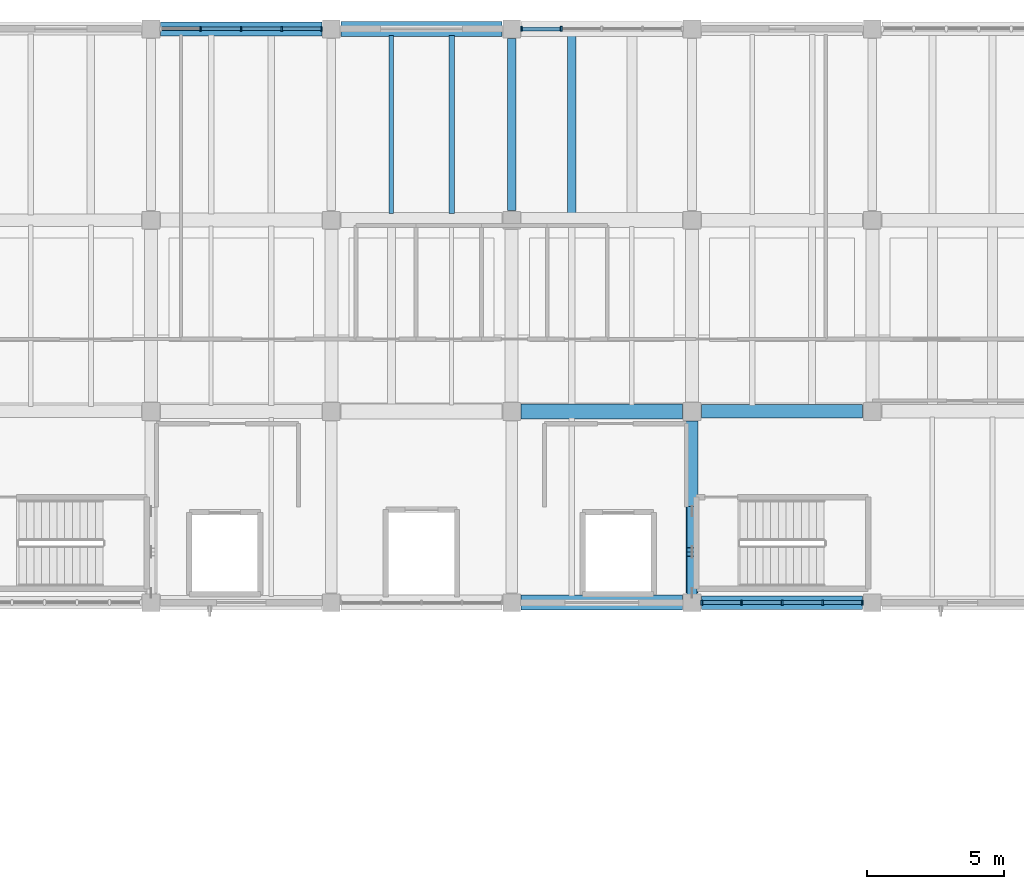
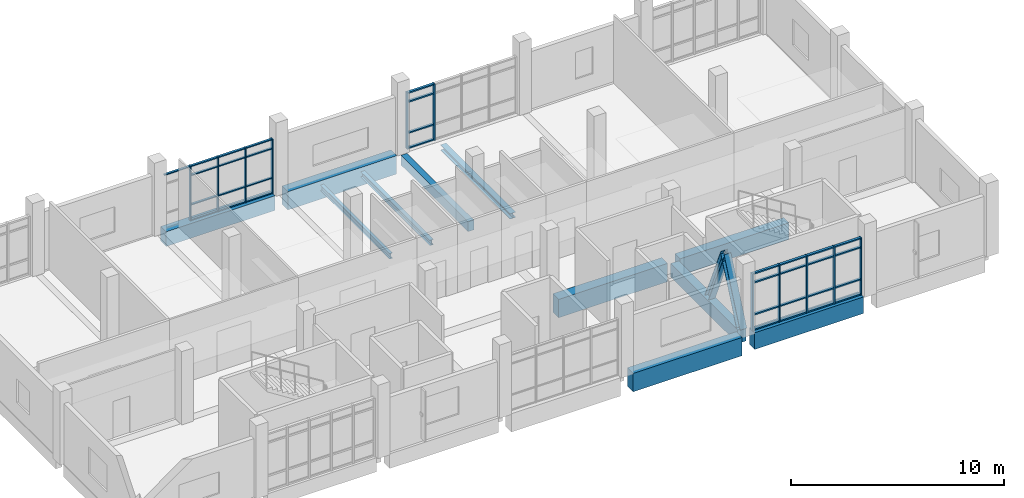
# One storey, part 4 of 16: 46 members, 11 beams, 3 elements without a shape of their own.
"""IFC4 building model written with IfcOpenShell, lengths in metres."""

from ifc_helpers import new_model, si_unit, direction, frame, origin, origin_2d, place, context, subcontext, project, spatial, rectangle, i_section, extrude, material, material_profile, profile_set, type_object, element, aggregate, save


model = new_model("IFC4")

# Units and contexts
model_context = context("Model", 3, precision=1e-05, world=origin(), true_north=direction((0.0, 1.0)))
body_context = subcontext(model_context, "Body", "Model", "MODEL_VIEW")
ifc_project = project(units=[si_unit("LENGTHUNIT", "METRE"), si_unit("AREAUNIT", "SQUARE_METRE"), si_unit("VOLUMEUNIT", "CUBIC_METRE"), si_unit("PLANEANGLEUNIT", "RADIAN"), si_unit("MASSUNIT", "GRAM", prefix="KILO")], contexts=[model_context])

# Site, building, storey
site_placement = place(None, origin())
site = spatial("IfcSite", under=ifc_project, at=site_placement, CompositionType="ELEMENT")
building_placement = place(site_placement, origin())
building = spatial("IfcBuilding", under=site, at=building_placement, Name="Ciguamira Faculty of Natural Sciences", CompositionType="ELEMENT")
storey_placement = place(building_placement, frame((0.0, 0.0, 25.199951171875)))
storey = spatial("IfcBuildingStorey", under=building, at=storey_placement, Name="L06", CompositionType="ELEMENT", Elevation=25.199951171875)

# Curtain wall, members
ifc_material_1 = material(Name="Anodized aluminium curtain wall", Category="aluminium")
curtain_wall_type_1 = type_object("IfcCurtainWallType", Name="CurtainWall_CW-01", PredefinedType="USERDEFINED", material=ifc_material_1)
curtain_wall_1_placement = place(storey_placement, origin())
curtain_wall_1 = element("IfcCurtainWall", 1, at=curtain_wall_1_placement, inside=storey, type_object=curtain_wall_type_1, Name="L06 unitised curtain wall 0145", ObjectType="UNITISED CURTAIN WALL", PredefinedType="USERDEFINED")
ifc_material_2 = material(Name="Anodized aluminium mullion", Category="aluminium")
ifc_material_profile_1 = material_profile(ifc_material_2, rectangle(XDim=0.06005859375, YDim=0.159912109375, at=origin_2d()), Name="ALU-MUL-60X160")
ifc_profile_set_1 = profile_set([ifc_material_profile_1], Name="Anodized aluminium mullion")
member_type_1 = type_object("IfcMemberType", Name="CWMullion_CWM-01", PredefinedType="MULLION", material=ifc_profile_set_1)
member_1_placement = place(storey_placement, frame((78.91259765625, 115.0, 0.0), z_axis=(0.0, 0.0, 1.0), x_axis=(1.0, 0.0, 0.0)))
member_1 = element("IfcMember", 2, at=member_1_placement, type_object=member_type_1, Name="CW-01 mullion 2", PredefinedType="MULLION", context=body_context, shape_type="SweptSolid", body=[
    extrude(rectangle(XDim=0.06005859375, YDim=0.159912109375, at=origin_2d()), origin(), (0.0, 0.0, 1.0), 3.135009765625),
])
member_2_placement = place(storey_placement, frame((80.39990234375, 115.0, 0.0), z_axis=(0.0, 0.0, 1.0), x_axis=(1.0, 0.0, 0.0)))
member_2 = element("IfcMember", 3, at=member_2_placement, type_object=member_type_1, Name="CW-01 mullion 3", PredefinedType="MULLION", context=body_context, shape_type="SweptSolid", body=[
    extrude(rectangle(XDim=0.06005859375, YDim=0.159912109375, at=origin_2d()), origin(), (0.0, 0.0, 1.0), 3.135009765625),
])
member_3_placement = place(storey_placement, frame((81.887451171875, 115.0, 0.0), z_axis=(0.0, 0.0, 1.0), x_axis=(1.0, 0.0, 0.0)))
member_3 = element("IfcMember", 4, at=member_3_placement, type_object=member_type_1, Name="CW-01 mullion 4", PredefinedType="MULLION", context=body_context, shape_type="SweptSolid", body=[
    extrude(rectangle(XDim=0.06005859375, YDim=0.159912109375, at=origin_2d()), origin(), (0.0, 0.0, 1.0), 3.135009765625),
])
member_4_placement = place(storey_placement, frame((83.344970703125, 115.0, 0.0), z_axis=(0.0, 0.0, 1.0), x_axis=(1.0, 0.0, 0.0)))
member_4 = element("IfcMember", 5, at=member_4_placement, type_object=member_type_1, Name="CW-01 mullion 5", PredefinedType="MULLION", context=body_context, shape_type="SweptSolid", body=[
    extrude(rectangle(XDim=0.06005859375, YDim=0.159912109375, at=origin_2d()), origin(), (0.0, 0.0, 1.0), 3.135009765625),
])

curtain_wall_type_2 = type_object("IfcCurtainWallType", Name="CurtainWall_CW-11", PredefinedType="USERDEFINED", material=ifc_material_1)
curtain_wall_2_placement = place(storey_placement, origin())
curtain_wall_2 = element("IfcCurtainWall", 6, at=curtain_wall_2_placement, inside=storey, type_object=curtain_wall_type_2, Name="L06 unitised curtain wall 0143", ObjectType="UNITISED CURTAIN WALL", PredefinedType="USERDEFINED")
ifc_material_profile_2 = material_profile(ifc_material_2, rectangle(XDim=0.070068359375, YDim=0.179931640625, at=origin_2d()), Name="ALU-MUL-70X180")
ifc_profile_set_2 = profile_set([ifc_material_profile_2], Name="Anodized aluminium mullion")
member_type_2 = type_object("IfcMemberType", Name="CWMullion_CWM-02", PredefinedType="MULLION", material=ifc_profile_set_2)
member_5_placement = place(storey_placement, frame((97.260009765625, 94.0, 0.0), z_axis=(0.0, 0.0, 1.0), x_axis=(1.0, 0.0, 0.0)))
member_5 = element("IfcMember", 7, at=member_5_placement, type_object=member_type_2, Name="CW-11 mullion 1", PredefinedType="MULLION", context=body_context, shape_type="SweptSolid", body=[
    extrude(rectangle(XDim=0.070068359375, YDim=0.179931640625, at=origin_2d()), origin(), (0.0, 0.0, 1.0), 3.28515625),
])
member_6_placement = place(storey_placement, frame((98.71240234375, 94.0, 0.0), z_axis=(0.0, 0.0, 1.0), x_axis=(1.0, 0.0, 0.0)))
member_6 = element("IfcMember", 8, at=member_6_placement, type_object=member_type_2, Name="CW-11 mullion 2", PredefinedType="MULLION", context=body_context, shape_type="SweptSolid", body=[
    extrude(rectangle(XDim=0.070068359375, YDim=0.179931640625, at=origin_2d()), origin(), (0.0, 0.0, 1.0), 3.28515625),
])
member_7_placement = place(storey_placement, frame((100.199951171875, 94.0, 0.0), z_axis=(0.0, 0.0, 1.0), x_axis=(1.0, 0.0, 0.0)))
member_7 = element("IfcMember", 9, at=member_7_placement, type_object=member_type_2, Name="CW-11 mullion 3", PredefinedType="MULLION", context=body_context, shape_type="SweptSolid", body=[
    extrude(rectangle(XDim=0.070068359375, YDim=0.179931640625, at=origin_2d()), origin(), (0.0, 0.0, 1.0), 3.28515625),
])
member_8_placement = place(storey_placement, frame((101.6875, 94.0, 0.0), z_axis=(0.0, 0.0, 1.0), x_axis=(1.0, 0.0, 0.0)))
member_8 = element("IfcMember", 10, at=member_8_placement, type_object=member_type_2, Name="CW-11 mullion 4", PredefinedType="MULLION", context=body_context, shape_type="SweptSolid", body=[
    extrude(rectangle(XDim=0.070068359375, YDim=0.179931640625, at=origin_2d()), origin(), (0.0, 0.0, 1.0), 3.28515625),
])
member_9_placement = place(storey_placement, frame((103.139892578125, 94.0, 0.0), z_axis=(0.0, 0.0, 1.0), x_axis=(1.0, 0.0, 0.0)))
member_9 = element("IfcMember", 11, at=member_9_placement, type_object=member_type_2, Name="CW-11 mullion 5", PredefinedType="MULLION", context=body_context, shape_type="SweptSolid", body=[
    extrude(rectangle(XDim=0.070068359375, YDim=0.179931640625, at=origin_2d()), origin(), (0.0, 0.0, 1.0), 3.28515625),
])

curtain_wall_type_3 = type_object("IfcCurtainWallType", Name="CurtainWall_CW-02", PredefinedType="USERDEFINED", material=ifc_material_1)
curtain_wall_3_placement = place(storey_placement, origin())
curtain_wall_3 = element("IfcCurtainWall", 12, at=curtain_wall_3_placement, inside=storey, type_object=curtain_wall_type_3, Name="L06 unitised curtain wall 0146", ObjectType="UNITISED CURTAIN WALL", PredefinedType="USERDEFINED")
member_10_placement = place(storey_placement, frame((90.659912109375, 115.0, 0.0), z_axis=(0.0, 0.0, 1.0), x_axis=(1.0, 0.0, 0.0)))
member_10 = element("IfcMember", 13, at=member_10_placement, type_object=member_type_2, Name="CW-02 mullion 1", PredefinedType="MULLION", context=body_context, shape_type="SweptSolid", body=[
    extrude(rectangle(XDim=0.070068359375, YDim=0.179931640625, at=origin_2d()), origin(), (0.0, 0.0, 1.0), 3.235107421875),
])
member_11_placement = place(storey_placement, frame((92.112548828125, 115.0, 0.0), z_axis=(0.0, 0.0, 1.0), x_axis=(1.0, 0.0, 0.0)))
member_11 = element("IfcMember", 14, at=member_11_placement, type_object=member_type_2, Name="CW-02 mullion 2", PredefinedType="MULLION", context=body_context, shape_type="SweptSolid", body=[
    extrude(rectangle(XDim=0.070068359375, YDim=0.179931640625, at=origin_2d()), origin(), (0.0, 0.0, 1.0), 3.235107421875),
])

# Member
ifc_material_3 = material(Name="Anodized aluminium transom", Category="aluminium")
ifc_material_profile_3 = material_profile(ifc_material_3, rectangle(XDim=0.06005859375, YDim=0.1201171875, at=origin_2d()), Name="ALU-TRN-60X120")
ifc_profile_set_3 = profile_set([ifc_material_profile_3], Name="Anodized aluminium transom")
member_type_3 = type_object("IfcMemberType", Name="CWTransom_CWT-01", PredefinedType="USERDEFINED", material=ifc_profile_set_3)
member_12_placement = place(storey_placement, frame((77.485107421875, 115.0, 3.10498046875), z_axis=(1.0, 0.0, 0.0), x_axis=(0.0, 0.0, 1.0)))
member_12 = element("IfcMember", 15, at=member_12_placement, type_object=member_type_3, Name="CW-01 transom 1.4", ObjectType="TRANSOM", PredefinedType="USERDEFINED", context=body_context, shape_type="SweptSolid", body=[
    extrude(rectangle(XDim=0.06005859375, YDim=0.1201171875, at=origin_2d()), origin(), (0.0, 0.0, 1.0), 1.3974609375),
])

member_13_placement = place(storey_placement, frame((78.9423828125, 115.0, 0.030029296875), z_axis=(1.0, 0.0, 0.0), x_axis=(0.0, 0.0, 1.0)))
member_13 = element("IfcMember", 16, at=member_13_placement, type_object=member_type_3, Name="CW-01 transom 2.1", ObjectType="TRANSOM", PredefinedType="USERDEFINED", context=body_context, shape_type="SweptSolid", body=[
    extrude(rectangle(XDim=0.06005859375, YDim=0.1201171875, at=origin_2d()), origin(), (0.0, 0.0, 1.0), 1.427734375),
])

member_14_placement = place(storey_placement, frame((78.9423828125, 115.0, 0.900146484375), z_axis=(1.0, 0.0, 0.0), x_axis=(0.0, 0.0, 1.0)))
member_14 = element("IfcMember", 17, at=member_14_placement, type_object=member_type_3, Name="CW-01 transom 2.2", ObjectType="TRANSOM", PredefinedType="USERDEFINED", context=body_context, shape_type="SweptSolid", body=[
    extrude(rectangle(XDim=0.06005859375, YDim=0.1201171875, at=origin_2d()), origin(), (0.0, 0.0, 1.0), 1.427734375),
])

member_15_placement = place(storey_placement, frame((78.9423828125, 115.0, 2.5849609375), z_axis=(1.0, 0.0, 0.0), x_axis=(0.0, 0.0, 1.0)))
member_15 = element("IfcMember", 18, at=member_15_placement, type_object=member_type_3, Name="CW-01 transom 2.3", ObjectType="TRANSOM", PredefinedType="USERDEFINED", context=body_context, shape_type="SweptSolid", body=[
    extrude(rectangle(XDim=0.06005859375, YDim=0.1201171875, at=origin_2d()), origin(), (0.0, 0.0, 1.0), 1.427734375),
])

member_16_placement = place(storey_placement, frame((78.9423828125, 115.0, 3.10498046875), z_axis=(1.0, 0.0, 0.0), x_axis=(0.0, 0.0, 1.0)))
member_16 = element("IfcMember", 19, at=member_16_placement, type_object=member_type_3, Name="CW-01 transom 2.4", ObjectType="TRANSOM", PredefinedType="USERDEFINED", context=body_context, shape_type="SweptSolid", body=[
    extrude(rectangle(XDim=0.06005859375, YDim=0.1201171875, at=origin_2d()), origin(), (0.0, 0.0, 1.0), 1.427734375),
])

member_17_placement = place(storey_placement, frame((80.429931640625, 115.0, 0.030029296875), z_axis=(1.0, 0.0, 0.0), x_axis=(0.0, 0.0, 1.0)))
member_17 = element("IfcMember", 20, at=member_17_placement, type_object=member_type_3, Name="CW-01 transom 3.1", ObjectType="TRANSOM", PredefinedType="USERDEFINED", context=body_context, shape_type="SweptSolid", body=[
    extrude(rectangle(XDim=0.06005859375, YDim=0.1201171875, at=origin_2d()), origin(), (0.0, 0.0, 1.0), 1.427490234375),
])

member_18_placement = place(storey_placement, frame((80.429931640625, 115.0, 0.900146484375), z_axis=(1.0, 0.0, 0.0), x_axis=(0.0, 0.0, 1.0)))
member_18 = element("IfcMember", 21, at=member_18_placement, type_object=member_type_3, Name="CW-01 transom 3.2", ObjectType="TRANSOM", PredefinedType="USERDEFINED", context=body_context, shape_type="SweptSolid", body=[
    extrude(rectangle(XDim=0.06005859375, YDim=0.1201171875, at=origin_2d()), origin(), (0.0, 0.0, 1.0), 1.427490234375),
])

member_19_placement = place(storey_placement, frame((80.429931640625, 115.0, 2.5849609375), z_axis=(1.0, 0.0, 0.0), x_axis=(0.0, 0.0, 1.0)))
member_19 = element("IfcMember", 22, at=member_19_placement, type_object=member_type_3, Name="CW-01 transom 3.3", ObjectType="TRANSOM", PredefinedType="USERDEFINED", context=body_context, shape_type="SweptSolid", body=[
    extrude(rectangle(XDim=0.06005859375, YDim=0.1201171875, at=origin_2d()), origin(), (0.0, 0.0, 1.0), 1.427490234375),
])

member_20_placement = place(storey_placement, frame((80.429931640625, 115.0, 3.10498046875), z_axis=(1.0, 0.0, 0.0), x_axis=(0.0, 0.0, 1.0)))
member_20 = element("IfcMember", 23, at=member_20_placement, type_object=member_type_3, Name="CW-01 transom 3.4", ObjectType="TRANSOM", PredefinedType="USERDEFINED", context=body_context, shape_type="SweptSolid", body=[
    extrude(rectangle(XDim=0.06005859375, YDim=0.1201171875, at=origin_2d()), origin(), (0.0, 0.0, 1.0), 1.427490234375),
])

member_21_placement = place(storey_placement, frame((81.91748046875, 115.0, 0.030029296875), z_axis=(1.0, 0.0, 0.0), x_axis=(0.0, 0.0, 1.0)))
member_21 = element("IfcMember", 24, at=member_21_placement, type_object=member_type_3, Name="CW-01 transom 4.1", ObjectType="TRANSOM", PredefinedType="USERDEFINED", context=body_context, shape_type="SweptSolid", body=[
    extrude(rectangle(XDim=0.06005859375, YDim=0.1201171875, at=origin_2d()), origin(), (0.0, 0.0, 1.0), 1.3974609375),
])

member_22_placement = place(storey_placement, frame((81.91748046875, 115.0, 0.900146484375), z_axis=(1.0, 0.0, 0.0), x_axis=(0.0, 0.0, 1.0)))
member_22 = element("IfcMember", 25, at=member_22_placement, type_object=member_type_3, Name="CW-01 transom 4.2", ObjectType="TRANSOM", PredefinedType="USERDEFINED", context=body_context, shape_type="SweptSolid", body=[
    extrude(rectangle(XDim=0.06005859375, YDim=0.1201171875, at=origin_2d()), origin(), (0.0, 0.0, 1.0), 1.3974609375),
])

member_23_placement = place(storey_placement, frame((81.91748046875, 115.0, 2.5849609375), z_axis=(1.0, 0.0, 0.0), x_axis=(0.0, 0.0, 1.0)))
member_23 = element("IfcMember", 26, at=member_23_placement, type_object=member_type_3, Name="CW-01 transom 4.3", ObjectType="TRANSOM", PredefinedType="USERDEFINED", context=body_context, shape_type="SweptSolid", body=[
    extrude(rectangle(XDim=0.06005859375, YDim=0.1201171875, at=origin_2d()), origin(), (0.0, 0.0, 1.0), 1.3974609375),
])

member_24_placement = place(storey_placement, frame((81.91748046875, 115.0, 3.10498046875), z_axis=(1.0, 0.0, 0.0), x_axis=(0.0, 0.0, 1.0)))
member_24 = element("IfcMember", 27, at=member_24_placement, type_object=member_type_3, Name="CW-01 transom 4.4", ObjectType="TRANSOM", PredefinedType="USERDEFINED", context=body_context, shape_type="SweptSolid", body=[
    extrude(rectangle(XDim=0.06005859375, YDim=0.1201171875, at=origin_2d()), origin(), (0.0, 0.0, 1.0), 1.3974609375),
])

aggregate(curtain_wall_1, [member_1, member_2, member_3, member_4, member_12, member_13, member_14, member_15, member_16, member_17, member_18, member_19, member_20, member_21, member_22, member_23, member_24])

ifc_material_profile_4 = material_profile(ifc_material_3, rectangle(XDim=0.070068359375, YDim=0.139892578125, at=origin_2d()), Name="ALU-TRN-70X140")
ifc_profile_set_4 = profile_set([ifc_material_profile_4], Name="Anodized aluminium transom")
member_type_4 = type_object("IfcMemberType", Name="CWTransom_CWT-02", PredefinedType="USERDEFINED", material=ifc_profile_set_4)
member_25_placement = place(storey_placement, frame((97.294921875, 94.0, 0.03515625), z_axis=(1.0, 0.0, 0.0), x_axis=(0.0, 0.0, 1.0)))
member_25 = element("IfcMember", 28, at=member_25_placement, type_object=member_type_4, Name="CW-11 transom 1.1", ObjectType="TRANSOM", PredefinedType="USERDEFINED", context=body_context, shape_type="SweptSolid", body=[
    extrude(rectangle(XDim=0.070068359375, YDim=0.139892578125, at=origin_2d()), origin(), (0.0, 0.0, 1.0), 1.382568359375),
])

member_26_placement = place(storey_placement, frame((97.294921875, 94.0, 0.900146484375), z_axis=(1.0, 0.0, 0.0), x_axis=(0.0, 0.0, 1.0)))
member_26 = element("IfcMember", 29, at=member_26_placement, type_object=member_type_4, Name="CW-11 transom 1.2", ObjectType="TRANSOM", PredefinedType="USERDEFINED", context=body_context, shape_type="SweptSolid", body=[
    extrude(rectangle(XDim=0.070068359375, YDim=0.139892578125, at=origin_2d()), origin(), (0.0, 0.0, 1.0), 1.382568359375),
])

member_27_placement = place(storey_placement, frame((97.294921875, 94.0, 2.735107421875), z_axis=(1.0, 0.0, 0.0), x_axis=(0.0, 0.0, 1.0)))
member_27 = element("IfcMember", 30, at=member_27_placement, type_object=member_type_4, Name="CW-11 transom 1.3", ObjectType="TRANSOM", PredefinedType="USERDEFINED", context=body_context, shape_type="SweptSolid", body=[
    extrude(rectangle(XDim=0.070068359375, YDim=0.139892578125, at=origin_2d()), origin(), (0.0, 0.0, 1.0), 1.382568359375),
])

member_28_placement = place(storey_placement, frame((97.294921875, 94.0, 3.25), z_axis=(1.0, 0.0, 0.0), x_axis=(0.0, 0.0, 1.0)))
member_28 = element("IfcMember", 31, at=member_28_placement, type_object=member_type_4, Name="CW-11 transom 1.4", ObjectType="TRANSOM", PredefinedType="USERDEFINED", context=body_context, shape_type="SweptSolid", body=[
    extrude(rectangle(XDim=0.070068359375, YDim=0.139892578125, at=origin_2d()), origin(), (0.0, 0.0, 1.0), 1.382568359375),
])

member_29_placement = place(storey_placement, frame((98.74755859375, 94.0, 0.03515625), z_axis=(1.0, 0.0, 0.0), x_axis=(0.0, 0.0, 1.0)))
member_29 = element("IfcMember", 32, at=member_29_placement, type_object=member_type_4, Name="CW-11 transom 2.1", ObjectType="TRANSOM", PredefinedType="USERDEFINED", context=body_context, shape_type="SweptSolid", body=[
    extrude(rectangle(XDim=0.070068359375, YDim=0.139892578125, at=origin_2d()), origin(), (0.0, 0.0, 1.0), 1.41748046875),
])

member_30_placement = place(storey_placement, frame((98.74755859375, 94.0, 0.900146484375), z_axis=(1.0, 0.0, 0.0), x_axis=(0.0, 0.0, 1.0)))
member_30 = element("IfcMember", 33, at=member_30_placement, type_object=member_type_4, Name="CW-11 transom 2.2", ObjectType="TRANSOM", PredefinedType="USERDEFINED", context=body_context, shape_type="SweptSolid", body=[
    extrude(rectangle(XDim=0.070068359375, YDim=0.139892578125, at=origin_2d()), origin(), (0.0, 0.0, 1.0), 1.41748046875),
])

member_31_placement = place(storey_placement, frame((98.74755859375, 94.0, 2.735107421875), z_axis=(1.0, 0.0, 0.0), x_axis=(0.0, 0.0, 1.0)))
member_31 = element("IfcMember", 34, at=member_31_placement, type_object=member_type_4, Name="CW-11 transom 2.3", ObjectType="TRANSOM", PredefinedType="USERDEFINED", context=body_context, shape_type="SweptSolid", body=[
    extrude(rectangle(XDim=0.070068359375, YDim=0.139892578125, at=origin_2d()), origin(), (0.0, 0.0, 1.0), 1.41748046875),
])

member_32_placement = place(storey_placement, frame((98.74755859375, 94.0, 3.25), z_axis=(1.0, 0.0, 0.0), x_axis=(0.0, 0.0, 1.0)))
member_32 = element("IfcMember", 35, at=member_32_placement, type_object=member_type_4, Name="CW-11 transom 2.4", ObjectType="TRANSOM", PredefinedType="USERDEFINED", context=body_context, shape_type="SweptSolid", body=[
    extrude(rectangle(XDim=0.070068359375, YDim=0.139892578125, at=origin_2d()), origin(), (0.0, 0.0, 1.0), 1.41748046875),
])

member_33_placement = place(storey_placement, frame((100.235107421875, 94.0, 0.03515625), z_axis=(1.0, 0.0, 0.0), x_axis=(0.0, 0.0, 1.0)))
member_33 = element("IfcMember", 36, at=member_33_placement, type_object=member_type_4, Name="CW-11 transom 3.1", ObjectType="TRANSOM", PredefinedType="USERDEFINED", context=body_context, shape_type="SweptSolid", body=[
    extrude(rectangle(XDim=0.070068359375, YDim=0.139892578125, at=origin_2d()), origin(), (0.0, 0.0, 1.0), 1.41748046875),
])

member_34_placement = place(storey_placement, frame((100.235107421875, 94.0, 0.900146484375), z_axis=(1.0, 0.0, 0.0), x_axis=(0.0, 0.0, 1.0)))
member_34 = element("IfcMember", 37, at=member_34_placement, type_object=member_type_4, Name="CW-11 transom 3.2", ObjectType="TRANSOM", PredefinedType="USERDEFINED", context=body_context, shape_type="SweptSolid", body=[
    extrude(rectangle(XDim=0.070068359375, YDim=0.139892578125, at=origin_2d()), origin(), (0.0, 0.0, 1.0), 1.41748046875),
])

member_35_placement = place(storey_placement, frame((100.235107421875, 94.0, 2.735107421875), z_axis=(1.0, 0.0, 0.0), x_axis=(0.0, 0.0, 1.0)))
member_35 = element("IfcMember", 38, at=member_35_placement, type_object=member_type_4, Name="CW-11 transom 3.3", ObjectType="TRANSOM", PredefinedType="USERDEFINED", context=body_context, shape_type="SweptSolid", body=[
    extrude(rectangle(XDim=0.070068359375, YDim=0.139892578125, at=origin_2d()), origin(), (0.0, 0.0, 1.0), 1.41748046875),
])

member_36_placement = place(storey_placement, frame((100.235107421875, 94.0, 3.25), z_axis=(1.0, 0.0, 0.0), x_axis=(0.0, 0.0, 1.0)))
member_36 = element("IfcMember", 39, at=member_36_placement, type_object=member_type_4, Name="CW-11 transom 3.4", ObjectType="TRANSOM", PredefinedType="USERDEFINED", context=body_context, shape_type="SweptSolid", body=[
    extrude(rectangle(XDim=0.070068359375, YDim=0.139892578125, at=origin_2d()), origin(), (0.0, 0.0, 1.0), 1.41748046875),
])

member_37_placement = place(storey_placement, frame((101.722412109375, 94.0, 0.03515625), z_axis=(1.0, 0.0, 0.0), x_axis=(0.0, 0.0, 1.0)))
member_37 = element("IfcMember", 40, at=member_37_placement, type_object=member_type_4, Name="CW-11 transom 4.1", ObjectType="TRANSOM", PredefinedType="USERDEFINED", context=body_context, shape_type="SweptSolid", body=[
    extrude(rectangle(XDim=0.070068359375, YDim=0.139892578125, at=origin_2d()), origin(), (0.0, 0.0, 1.0), 1.382568359375),
])

member_38_placement = place(storey_placement, frame((101.722412109375, 94.0, 0.900146484375), z_axis=(1.0, 0.0, 0.0), x_axis=(0.0, 0.0, 1.0)))
member_38 = element("IfcMember", 41, at=member_38_placement, type_object=member_type_4, Name="CW-11 transom 4.2", ObjectType="TRANSOM", PredefinedType="USERDEFINED", context=body_context, shape_type="SweptSolid", body=[
    extrude(rectangle(XDim=0.070068359375, YDim=0.139892578125, at=origin_2d()), origin(), (0.0, 0.0, 1.0), 1.382568359375),
])

member_39_placement = place(storey_placement, frame((101.722412109375, 94.0, 2.735107421875), z_axis=(1.0, 0.0, 0.0), x_axis=(0.0, 0.0, 1.0)))
member_39 = element("IfcMember", 42, at=member_39_placement, type_object=member_type_4, Name="CW-11 transom 4.3", ObjectType="TRANSOM", PredefinedType="USERDEFINED", context=body_context, shape_type="SweptSolid", body=[
    extrude(rectangle(XDim=0.070068359375, YDim=0.139892578125, at=origin_2d()), origin(), (0.0, 0.0, 1.0), 1.382568359375),
])

member_40_placement = place(storey_placement, frame((101.722412109375, 94.0, 3.25), z_axis=(1.0, 0.0, 0.0), x_axis=(0.0, 0.0, 1.0)))
member_40 = element("IfcMember", 43, at=member_40_placement, type_object=member_type_4, Name="CW-11 transom 4.4", ObjectType="TRANSOM", PredefinedType="USERDEFINED", context=body_context, shape_type="SweptSolid", body=[
    extrude(rectangle(XDim=0.070068359375, YDim=0.139892578125, at=origin_2d()), origin(), (0.0, 0.0, 1.0), 1.382568359375),
])

aggregate(curtain_wall_2, [member_5, member_6, member_7, member_8, member_9, member_25, member_26, member_27, member_28, member_29, member_30, member_31, member_32, member_33, member_34, member_35, member_36, member_37, member_38, member_39, member_40])

member_41_placement = place(storey_placement, frame((90.695068359375, 115.0, 0.03515625), z_axis=(1.0, 0.0, 0.0), x_axis=(0.0, 0.0, 1.0)))
member_41 = element("IfcMember", 44, at=member_41_placement, type_object=member_type_4, Name="CW-02 transom 1.1", ObjectType="TRANSOM", PredefinedType="USERDEFINED", context=body_context, shape_type="SweptSolid", body=[
    extrude(rectangle(XDim=0.070068359375, YDim=0.139892578125, at=origin_2d()), origin(), (0.0, 0.0, 1.0), 1.38232421875),
])

member_42_placement = place(storey_placement, frame((90.695068359375, 115.0, 0.900146484375), z_axis=(1.0, 0.0, 0.0), x_axis=(0.0, 0.0, 1.0)))
member_42 = element("IfcMember", 45, at=member_42_placement, type_object=member_type_4, Name="CW-02 transom 1.2", ObjectType="TRANSOM", PredefinedType="USERDEFINED", context=body_context, shape_type="SweptSolid", body=[
    extrude(rectangle(XDim=0.070068359375, YDim=0.139892578125, at=origin_2d()), origin(), (0.0, 0.0, 1.0), 1.38232421875),
])

member_43_placement = place(storey_placement, frame((90.695068359375, 115.0, 2.68505859375), z_axis=(1.0, 0.0, 0.0), x_axis=(0.0, 0.0, 1.0)))
member_43 = element("IfcMember", 46, at=member_43_placement, type_object=member_type_4, Name="CW-02 transom 1.3", ObjectType="TRANSOM", PredefinedType="USERDEFINED", context=body_context, shape_type="SweptSolid", body=[
    extrude(rectangle(XDim=0.070068359375, YDim=0.139892578125, at=origin_2d()), origin(), (0.0, 0.0, 1.0), 1.38232421875),
])

member_44_placement = place(storey_placement, frame((90.695068359375, 115.0, 3.199951171875), z_axis=(1.0, 0.0, 0.0), x_axis=(0.0, 0.0, 1.0)))
member_44 = element("IfcMember", 47, at=member_44_placement, type_object=member_type_4, Name="CW-02 transom 1.4", ObjectType="TRANSOM", PredefinedType="USERDEFINED", context=body_context, shape_type="SweptSolid", body=[
    extrude(rectangle(XDim=0.070068359375, YDim=0.139892578125, at=origin_2d()), origin(), (0.0, 0.0, 1.0), 1.38232421875),
])

aggregate(curtain_wall_3, [member_10, member_11, member_41, member_42, member_43, member_44])

# Beams
ifc_material_4 = material(Name="Concrete C40/50", Category="concrete")
ifc_material_profile_5 = material_profile(ifc_material_4, rectangle(XDim=0.550048828125, YDim=1.050048828125, at=origin_2d()), Name="RC-BM-550X1050")
ifc_profile_set_5 = profile_set([ifc_material_profile_5], Name="Concrete C40/50")
beam_type_1 = type_object("IfcBeamType", Name="RCBeam_BG-01_RC-BM-550X1050", PredefinedType="BEAM", material=ifc_profile_set_5)
for number, where, z_axis, x_axis, name in (
    (48, (90.64990234375, 94.0, -0.52490234375), (1.0, 0.0, 0.0), (0.0, 1.0, 0.0), "L06 RC girder EW-1500"),
    (49, (90.64990234375, 101.0, -0.52490234375), (1.0, 0.0, 0.0), (0.0, 1.0, 0.0), "L06 RC girder EW-1507"),
):
    element("IfcBeam", number, at=place(storey_placement, frame(where, z_axis=z_axis, x_axis=x_axis)), inside=storey, type_object=beam_type_1, Name=name, PredefinedType="BEAM", context=body_context, shape_type="SweptSolid", body=[
        extrude(rectangle(XDim=0.550048828125, YDim=1.050048828125, at=origin_2d()), origin(), (0.0, 0.0, 1.0), 5.900146484375),
    ])
beam_1_placement = place(storey_placement, frame((84.050048828125, 115.0, -0.52490234375), z_axis=(1.0, 0.0, 0.0), x_axis=(0.0, 1.0, 0.0)))
element("IfcBeam", 50, at=beam_1_placement, inside=storey, type_object=beam_type_1, Name="L06 RC girder EW-1520", PredefinedType="BEAM", context=body_context, shape_type="SweptSolid", body=[
    extrude(rectangle(XDim=0.550048828125, YDim=1.050048828125, at=origin_2d()), origin(), (0.0, 0.0, 1.0), 5.89990234375),
])
ifc_material_profile_6 = material_profile(ifc_material_4, rectangle(XDim=0.5, YDim=0.949951171875, at=origin_2d()), Name="RC-BM-500X950")
ifc_profile_set_6 = profile_set([ifc_material_profile_6], Name="Concrete C40/50")
beam_type_2 = type_object("IfcBeamType", Name="RCBeam_BG-02_RC-BM-500X950", PredefinedType="BEAM", material=ifc_profile_set_6)
for number, where, z_axis, x_axis, name in (
    (51, (97.25, 94.0, -0.474853515625), (1.0, 0.0, 0.0), (0.0, 1.0, 0.0), "L06 RC girder EW-1501"),
    (52, (97.25, 101.0, -0.474853515625), (1.0, 0.0, 0.0), (0.0, 1.0, 0.0), "L06 RC girder EW-1508"),
):
    element("IfcBeam", number, at=place(storey_placement, frame(where, z_axis=z_axis, x_axis=x_axis)), inside=storey, type_object=beam_type_2, Name=name, PredefinedType="BEAM", context=body_context, shape_type="SweptSolid", body=[
        extrude(rectangle(XDim=0.5, YDim=0.949951171875, at=origin_2d()), origin(), (0.0, 0.0, 1.0), 5.89990234375),
    ])
ifc_material_profile_7 = material_profile(ifc_material_4, rectangle(XDim=0.43994140625, YDim=0.780029296875, at=origin_2d()), Name="RC-BM-440X780")
ifc_profile_set_7 = profile_set([ifc_material_profile_7], Name="Concrete C40/50")
beam_type_3 = type_object("IfcBeamType", Name="RCBeam_BG-06_RC-BM-440X780", PredefinedType="BEAM", material=ifc_profile_set_7)
beam_2_placement = place(storey_placement, frame((96.89990234375, 94.35009765625, -0.389892578125), z_axis=(0.0, 1.0, 0.0), x_axis=(-1.0, 0.0, 0.0)))
element("IfcBeam", 53, at=beam_2_placement, inside=storey, type_object=beam_type_3, Name="L06 core-end brace tie girder 96", PredefinedType="BEAM", context=body_context, shape_type="SweptSolid", body=[
    extrude(rectangle(XDim=0.43994140625, YDim=0.780029296875, at=origin_2d()), origin(), (0.0, 0.0, 1.0), 6.2998046875),
])
ifc_material_profile_8 = material_profile(ifc_material_4, rectangle(XDim=0.320068359375, YDim=0.56005859375, at=origin_2d()), Name="RC-BM-320X560")
ifc_profile_set_8 = profile_set([ifc_material_profile_8], Name="Concrete C40/50")
beam_type_4 = type_object("IfcBeamType", Name="RCBeam_BG-12_RC-BM-320X560", PredefinedType="BEAM", material=ifc_profile_set_8)
beam_3_placement = place(storey_placement, frame((90.300048828125, 108.35009765625, -0.280029296875), z_axis=(0.0, 1.0, 0.0), x_axis=(-1.0, 0.0, 0.0)))
element("IfcBeam", 54, at=beam_3_placement, inside=storey, type_object=beam_type_4, Name="L06 girder NS-1536", PredefinedType="BEAM", context=body_context, shape_type="SweptSolid", body=[
    extrude(rectangle(XDim=0.320068359375, YDim=0.56005859375, at=origin_2d()), origin(), (0.0, 0.0, 1.0), 6.2998046875),
])
ifc_material_profile_9 = material_profile(ifc_material_4, rectangle(XDim=0.52001953125, YDim=0.840087890625, at=origin_2d()), Name="RC-TB-520X840")
ifc_profile_set_9 = profile_set([ifc_material_profile_9], Name="Concrete C40/50")
beam_type_5 = type_object("IfcBeamType", Name="RCBeam_TB-02_RC-TB-520X840", PredefinedType="T_BEAM", material=ifc_profile_set_9)
beam_4_placement = place(storey_placement, frame((77.449951171875, 115.0, -0.419921875), z_axis=(1.0, 0.0, 0.0), x_axis=(0.0, 1.0, 0.0)))
element("IfcBeam", 55, at=beam_4_placement, inside=storey, type_object=beam_type_5, Name="L06 RC girder EW-1519", PredefinedType="T_BEAM", context=body_context, shape_type="SweptSolid", body=[
    extrude(rectangle(XDim=0.52001953125, YDim=0.840087890625, at=origin_2d()), origin(), (0.0, 0.0, 1.0), 5.900146484375),
])
ifc_material_5 = material(Name="Steel ASTM A992 Grade 50", Category="steel")
ifc_material_profile_10 = material_profile(ifc_material_5, i_section(OverallWidth=0.16650390625, OverallDepth=0.3173828125, WebThickness=0.007568359375, FlangeThickness=0.01318359375, at=origin_2d()), Name="W12X35")
ifc_profile_set_10 = profile_set([ifc_material_profile_10], Name="Steel ASTM A992 Grade 50")
beam_type_6 = type_object("IfcBeamType", Name="SteelJoist_SJ-05_W12X35", PredefinedType="JOIST", material=ifc_profile_set_10)
beam_5_placement = place(storey_placement, frame((85.89990234375, 108.235107421875, -0.398681640625), z_axis=(0.0, 1.0, 0.0), x_axis=(-1.0, 0.0, 0.0)))
element("IfcBeam", 56, at=beam_5_placement, inside=storey, type_object=beam_type_6, Name="L06 composite steel joist 01399", PredefinedType="JOIST", context=body_context, shape_type="SweptSolid", body=[
    extrude(i_section(OverallWidth=0.16650390625, OverallDepth=0.3173828125, WebThickness=0.007568359375, FlangeThickness=0.01318359375, at=origin_2d()), origin(), (0.0, 0.0, 1.0), 6.52978515625),
])
ifc_material_profile_11 = material_profile(ifc_material_5, i_section(OverallWidth=0.20458984375, OverallDepth=0.307373046875, WebThickness=0.008544921875, FlangeThickness=0.0146484375, at=origin_2d()), Name="W12X45")
ifc_profile_set_11 = profile_set([ifc_material_profile_11], Name="Steel ASTM A992 Grade 50")
beam_type_7 = type_object("IfcBeamType", Name="SteelJoist_SJ-06_W12X45", PredefinedType="JOIST", material=ifc_profile_set_11)
beam_6_placement = place(storey_placement, frame((88.10009765625, 108.235107421875, -0.3935546875), z_axis=(0.0, 1.0, 0.0), x_axis=(-1.0, 0.0, 0.0)))
element("IfcBeam", 57, at=beam_6_placement, inside=storey, type_object=beam_type_7, Name="L06 composite steel joist 01400", PredefinedType="JOIST", context=body_context, shape_type="SweptSolid", body=[
    extrude(i_section(OverallWidth=0.20458984375, OverallDepth=0.307373046875, WebThickness=0.008544921875, FlangeThickness=0.0146484375, at=origin_2d()), origin(), (0.0, 0.0, 1.0), 6.52978515625),
])
ifc_material_profile_12 = material_profile(ifc_material_5, i_section(OverallWidth=0.3046875, OverallDepth=0.307373046875, WebThickness=0.010009765625, FlangeThickness=0.015380859375, at=origin_2d()), Name="W12X65")
ifc_profile_set_12 = profile_set([ifc_material_profile_12], Name="Steel ASTM A992 Grade 50")
beam_type_8 = type_object("IfcBeamType", Name="SteelJoist_SJ-08_W12X65", PredefinedType="JOIST", material=ifc_profile_set_12)
beam_7_placement = place(storey_placement, frame((92.5, 108.235107421875, -0.3935546875), z_axis=(0.0, 1.0, 0.0), x_axis=(-1.0, 0.0, 0.0)))
element("IfcBeam", 58, at=beam_7_placement, inside=storey, type_object=beam_type_8, Name="L06 composite steel joist 01404", PredefinedType="JOIST", context=body_context, shape_type="SweptSolid", body=[
    extrude(i_section(OverallWidth=0.3046875, OverallDepth=0.307373046875, WebThickness=0.010009765625, FlangeThickness=0.015380859375, at=origin_2d()), origin(), (0.0, 0.0, 1.0), 6.52978515625),
])

# Members
ifc_material_profile_13 = material_profile(ifc_material_5, i_section(OverallWidth=0.368408203125, OverallDepth=0.355712890625, WebThickness=0.01123046875, FlangeThickness=0.01806640625, at=origin_2d()), Name="W14X90")
ifc_profile_set_13 = profile_set([ifc_material_profile_13], Name="Steel ASTM A992 Grade 50")
member_type_5 = type_object("IfcMemberType", Name="SteelMember_BR-01_W14X90", PredefinedType="BRACE", material=ifc_profile_set_13)
for number, where, z_axis, x_axis, name in (
    (59, (96.89990234375, 94.35009765625, 0.0), (0.0, 0.401645143601, 0.915795380323), (-1.0, 0.0, 0.0), "L06 lateral chevron brace 031"),
    (60, (96.89990234375, 97.35009765625, 0.0), (0.0, -0.401645143601, 0.915795380323), (1.0, 0.0, 0.0), "L06 lateral chevron brace 032"),
):
    element("IfcMember", number, at=place(storey_placement, frame(where, z_axis=z_axis, x_axis=x_axis)), inside=storey, type_object=member_type_5, Name=name, PredefinedType="BRACE", context=body_context, shape_type="SweptSolid", body=[
        extrude(i_section(OverallWidth=0.368408203125, OverallDepth=0.355712890625, WebThickness=0.01123046875, FlangeThickness=0.01806640625, at=origin_2d()), origin(), (0.0, 0.0, 1.0), 3.734619140625),
    ])

save(model, "model.ifc")
